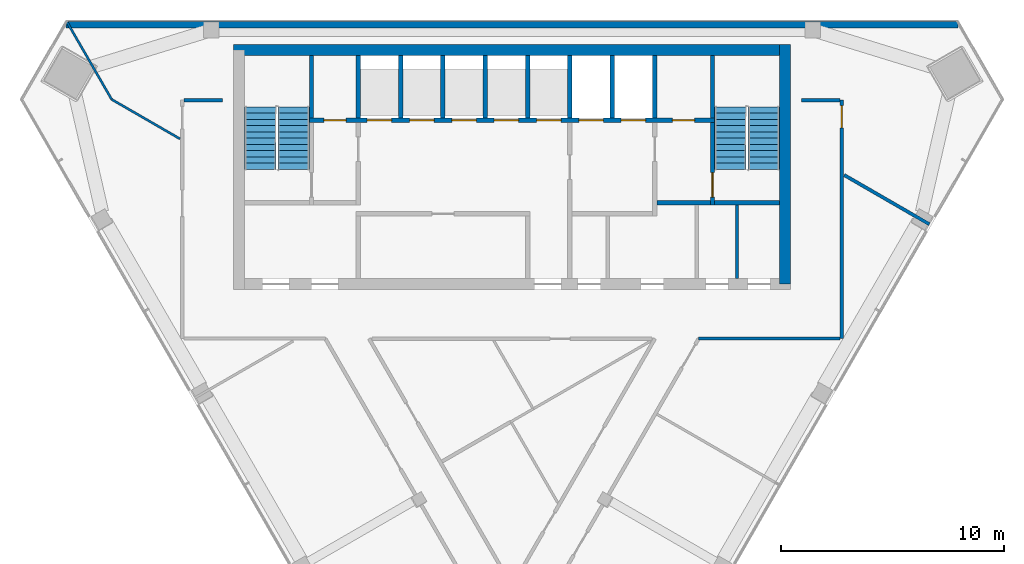
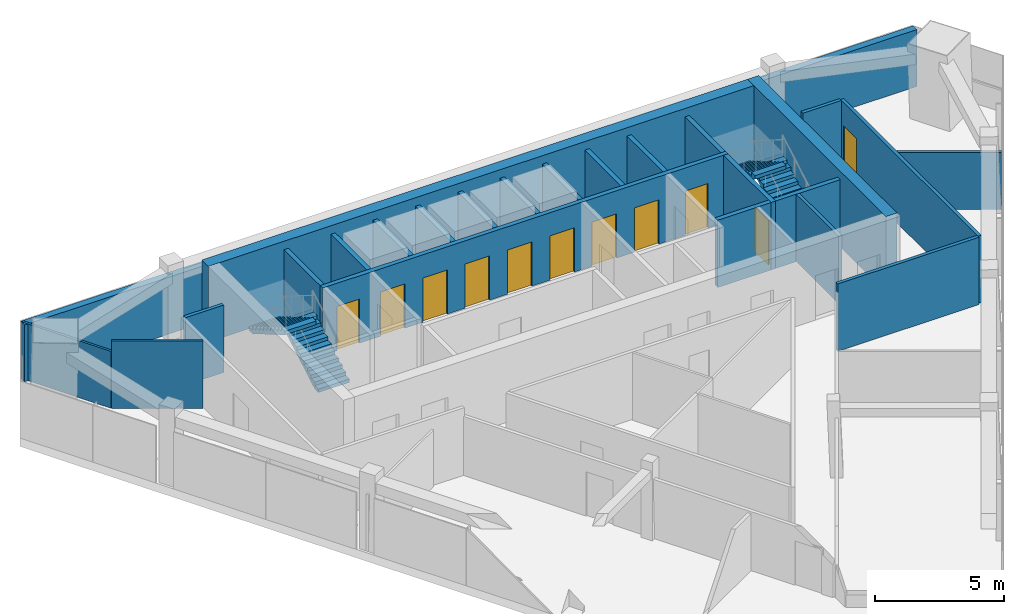
# One storey, part 7 of 9: 25 walls, 11 doors, 4 stair flights, 11 openings, 2 elements without a shape of their own.
"""IFC4 building model written with IfcOpenShell, lengths in metres."""

from ifc_helpers import new_model, si_unit, direction, frame, frame_2d, origin, place, context, subcontext, project, spatial, polyline, rectangle, outline, extrude, material, layer, layer_set, type_object, element, fill, aggregate, save


model = new_model("IFC4")

# Units and contexts
model_context = context("Model", 3, precision=1e-05, world=origin(), true_north=direction((0.0, 1.0)))
body_context = subcontext(model_context, "Body", "Model", "MODEL_VIEW")
ifc_project = project(units=[si_unit("LENGTHUNIT", "METRE"), si_unit("AREAUNIT", "SQUARE_METRE"), si_unit("VOLUMEUNIT", "CUBIC_METRE"), si_unit("PLANEANGLEUNIT", "RADIAN"), si_unit("MASSUNIT", "GRAM", prefix="KILO")], contexts=[model_context])

# Site, building, storey
site_placement = place(None, origin())
site = spatial("IfcSite", under=ifc_project, at=site_placement, CompositionType="ELEMENT")
building_placement = place(site_placement, origin())
building = spatial("IfcBuilding", under=site, at=building_placement, Name="Altiplano Prism Tower", CompositionType="ELEMENT")
storey_placement = place(building_placement, frame((0.0, 0.0, 302.199951171875)))
storey = spatial("IfcBuildingStorey", under=building, at=storey_placement, Name="L78", CompositionType="ELEMENT", Elevation=302.199951171875)

# Walls
ifc_material_1 = material(Name="Concrete C60/75", Category="concrete")
ifc_layer_1 = layer(ifc_material_1, 0.5)
ifc_layer_set_1 = layer_set([ifc_layer_1], Name="Concrete C60/75")
wall_type_1 = type_object("IfcWallType", Name="Core wall 500", PredefinedType="SHEAR", material=ifc_layer_set_1)
wall_1_placement = place(storey_placement, frame((97.25, 93.14990234375, 0.0), z_axis=(0.0, 0.0, 1.0), x_axis=(0.0, 1.0, 0.0)))
element("IfcWall", 1, at=wall_1_placement, inside=storey, type_object=wall_type_1, Name="Core wall E L78", PredefinedType="SHEAR", context=body_context, shape_type="SweptSolid", body=[
    extrude(rectangle(XDim=10.75, YDim=0.5, at=frame_2d((5.375, 0.0))), origin(), (0.0, 0.0, 1.0), 3.60009765625),
])
wall_2_placement = place(storey_placement, frame((97.25, 103.64990234375, 0.0), z_axis=(0.0, 0.0, 1.0), x_axis=(-1.0, 0.0, 0.0)))
element("IfcWall", 2, at=wall_2_placement, inside=storey, type_object=wall_type_1, Name="Core wall N L78", PredefinedType="SHEAR", context=body_context, shape_type="SweptSolid", body=[
    extrude(rectangle(XDim=24.75, YDim=0.5, at=frame_2d((12.375, 0.0))), origin(), (0.0, 0.0, 1.0), 3.60009765625),
])
ifc_material_2 = material(Name="Plasterboard on steel stud", Category="steel")
ifc_layer_2 = layer(ifc_material_2, 0.10009765625)
ifc_layer_set_2 = layer_set([ifc_layer_2], Name="Plasterboard on steel stud")
wall_type_2 = type_object("IfcWallType", Name="Partition 100 wet", PredefinedType="PARTITIONING", material=ifc_layer_set_2)
wall_3_placement = place(storey_placement, frame((70.099365234375, 99.66357421875, 0.0), z_axis=(0.0, 0.0, 1.0), x_axis=(-0.866034141321, 0.499984865837, 0.0)))
element("IfcWall", 3, at=wall_3_placement, inside=storey, type_object=wall_type_2, Name="Partition P03 L78 017", PredefinedType="PARTITIONING", context=body_context, shape_type="SweptSolid", body=[
    extrude(rectangle(XDim=3.54345703125, YDim=0.10009765625, at=frame_2d((1.771728515625, 0.0))), origin(), (0.0, 0.0, 1.0), 3.199951171875),
])
wall_4_placement = place(storey_placement, frame((67.030517578125, 101.435302734375, 0.0), z_axis=(0.0, 0.0, 1.0), x_axis=(-0.499991868013, 0.866030098739, 0.0)))
element("IfcWall", 4, at=wall_4_placement, inside=storey, type_object=wall_type_2, Name="Partition P03 L78 018", PredefinedType="PARTITIONING", context=body_context, shape_type="SweptSolid", body=[
    extrude(rectangle(XDim=4.00048828125, YDim=0.10009765625, at=frame_2d((2.000244140625, 0.0))), origin(), (0.0, 0.0, 1.0), 2.699951171875),
])
ifc_layer_3 = layer(ifc_material_2, 0.14990234375)
ifc_layer_set_3 = layer_set([ifc_layer_3], Name="Plasterboard on steel stud")
wall_type_3 = type_object("IfcWallType", Name="Partition 150 corridor", PredefinedType="PARTITIONING", material=ifc_layer_set_3)
wall_5_placement = place(storey_placement, frame((93.3818359375, 90.699951171875, 0.0), z_axis=(0.0, 0.0, 1.0), x_axis=(1.0, 0.0, 0.0)))
element("IfcWall", 5, at=wall_5_placement, inside=storey, type_object=wall_type_3, Name="Partition P06 L78 007", PredefinedType="PARTITIONING", context=body_context, shape_type="SweptSolid", body=[
    extrude(rectangle(XDim=6.34326171875, YDim=0.14990234375, at=frame_2d((3.171630859375, 0.0))), origin(), (0.0, 0.0, 1.0), 3.199951171875),
])

# Wall, opening, door
wall_6_placement = place(storey_placement, frame((99.800048828125, 90.699951171875, 0.0), z_axis=(0.0, 0.0, 1.0), x_axis=(9.1267939e-05, 0.999999995835, 0.0)))
wall_6 = element("IfcWall", 6, at=wall_6_placement, inside=storey, type_object=wall_type_3, Name="Partition P06 L78 008", PredefinedType="PARTITIONING", context=body_context, shape_type="SweptSolid", body=[
    extrude(rectangle(XDim=10.699951171875, YDim=0.14990234375, at=frame_2d((5.35009765625, 0.0))), origin(), (0.0, 0.0, 1.0), 3.199951171875),
])
opening_1_placement = place(wall_6_placement, frame((9.4599609375, 0.0, 0.0)))
opening_1 = element("IfcOpeningElement", 7, at=opening_1_placement, cuts=wall_6, Name="Opening D2366", PredefinedType="OPENING", context=body_context, shape_type="SweptSolid", body=[
    extrude(rectangle(XDim=1.0, YDim=2.10009765625, at=frame_2d((0.5, 1.050048828125))), frame((0.0, 0.08544921875, 0.0), z_axis=(0.0, -1.0, 0.0), x_axis=(1.0, 0.0, 0.0)), (0.0, 0.0, 1.0), 0.1708984375),
])
ifc_material_3 = material(Name="Timber", Category="wood")
door_type_1 = type_object("IfcDoorType", Name="Store door 1000 x 2100", OperationType="NOTDEFINED", PredefinedType="NOTDEFINED", material=ifc_material_3)
door_1_placement = place(opening_1_placement, origin())
door_1 = element("IfcDoor", 8, at=door_1_placement, inside=storey, type_object=door_type_1, Name="Door D2366", OperationType="SINGLE_SWING_LEFT", OverallHeight=2.10009765625, OverallWidth=1.0, PredefinedType="NOTDEFINED", context=body_context, shape_type="SweptSolid", body=[
    extrude(rectangle(XDim=1.0, YDim=2.10009765625, at=frame_2d((0.5, 1.050048828125))), frame((0.0, 0.02490234375, 0.0), z_axis=(0.0, -1.0, 0.0), x_axis=(1.0, 0.0, 0.0)), (0.0, 0.0, 1.0), 0.050048828125),
])
fill(opening_1, door_1)

# Walls
wall_7_placement = place(storey_placement, frame((99.72607421875, 101.400146484375, 0.0), z_axis=(0.0, 0.0, 1.0), x_axis=(-0.999999909973, 0.000424328109, 0.0)))
element("IfcWall", 9, at=wall_7_placement, inside=storey, type_object=wall_type_3, Name="Partition P06 L78 009", PredefinedType="PARTITIONING", context=body_context, shape_type="SweptSolid", body=[
    extrude(rectangle(XDim=1.72607421875, YDim=0.14990234375, at=frame_2d((0.863037109375, 0.0))), origin(), (0.0, 0.0, 1.0), 3.199951171875),
])
wall_8_placement = place(storey_placement, frame((72.0, 101.40087890625, 0.0), z_axis=(0.0, 0.0, 1.0), x_axis=(-0.999999989991, -0.000141482738, 0.0)))
element("IfcWall", 10, at=wall_8_placement, inside=storey, type_object=wall_type_3, Name="Partition P06 L78 010", PredefinedType="PARTITIONING", context=body_context, shape_type="SweptSolid", body=[
    extrude(rectangle(XDim=1.7255859375, YDim=0.14990234375, at=frame_2d((0.86279296875, 0.0))), origin(), (0.0, 0.0, 1.0), 3.199951171875),
])
ifc_layer_4 = layer(ifc_material_2, 0.14990234375)
ifc_layer_set_4 = layer_set([ifc_layer_4], Name="Plasterboard on steel stud")
wall_type_4 = type_object("IfcWallType", Name="Partition 150 party", PredefinedType="PARTITIONING", material=ifc_layer_set_4)
wall_9_placement = place(storey_placement, frame((103.735107421875, 95.83251953125, 0.0), z_axis=(0.0, 0.0, 1.0), x_axis=(-0.86603542762, 0.499982637805, 0.0)))
element("IfcWall", 11, at=wall_9_placement, inside=storey, type_object=wall_type_4, Name="Partition P01 L78 023", PredefinedType="PARTITIONING", context=body_context, shape_type="SweptSolid", body=[
    extrude(rectangle(XDim=4.413330078125, YDim=0.14990234375, at=frame_2d((2.20654296875, 0.0))), origin(), (0.0, 0.0, 1.0), 2.699951171875),
])
ifc_material_4 = material(Name="Fire-rated gypsum board partition")
ifc_layer_5 = layer(ifc_material_4, 0.14990234375)
ifc_layer_set_5 = layer_set([ifc_layer_5], Name="Fire-rated gypsum board partition")
wall_type_5 = type_object("IfcWallType", Name="Room partition 150", PredefinedType="PARTITIONING", material=ifc_layer_set_5)
wall_10_placement = place(storey_placement, frame((95.10009765625, 93.39990234375, 0.0), z_axis=(0.0, 0.0, 1.0), x_axis=(0.0, 1.0, 0.0)))
element("IfcWall", 12, at=wall_10_placement, inside=storey, type_object=wall_type_5, Name="Room partition L78", PredefinedType="PARTITIONING", context=body_context, shape_type="SweptSolid", body=[
    extrude(rectangle(XDim=3.300048828125, YDim=0.14990234375, at=frame_2d((1.64990234375, 0.0))), origin(), (0.0, 0.0, 1.0), 3.199951171875),
])
ifc_layer_6 = layer(ifc_material_1, 0.199951171875)
ifc_layer_set_6 = layer_set([ifc_layer_6], Name="Concrete C60/75")
wall_type_6 = type_object("IfcWallType", Name="Shaft wall 200", PredefinedType="SOLIDWALL", material=ifc_layer_set_6)
for number, where, z_axis, x_axis, name in (
    (13, (78.10009765625, 100.60009765625, 0.0), (0.0, 0.0, 1.0), (0.0, 1.0, 0.0), "Shaft wall L78"),
    (14, (80.0, 100.60009765625, 0.0), (0.0, 0.0, 1.0), (0.0, 1.0, 0.0), "Shaft wall L78"),
    (15, (81.89990234375, 100.60009765625, 0.0), (0.0, 0.0, 1.0), (0.0, 1.0, 0.0), "Shaft wall L78"),
    (16, (83.800048828125, 100.60009765625, 0.0), (0.0, 0.0, 1.0), (0.0, 1.0, 0.0), "Shaft wall L78"),
    (17, (85.699951171875, 100.60009765625, 0.0), (0.0, 0.0, 1.0), (0.0, 1.0, 0.0), "Shaft wall L78"),
    (18, (87.60009765625, 100.60009765625, 0.0), (0.0, 0.0, 1.0), (0.0, 1.0, 0.0), "Shaft wall L78"),
    (19, (89.5, 100.60009765625, 0.0), (0.0, 0.0, 1.0), (0.0, 1.0, 0.0), "Shaft wall L78"),
    (20, (91.39990234375, 100.60009765625, 0.0), (0.0, 0.0, 1.0), (0.0, 1.0, 0.0), "Shaft wall L78"),
):
    element("IfcWall", number, at=place(storey_placement, frame(where, z_axis=z_axis, x_axis=x_axis)), inside=storey, type_object=wall_type_6, Name=name, PredefinedType="SOLIDWALL", context=body_context, shape_type="SweptSolid", body=[
        extrude(rectangle(XDim=2.7998046875, YDim=0.199951171875, at=frame_2d((1.39990234375, 0.0))), origin(), (0.0, 0.0, 1.0), 3.199951171875),
    ])

# Wall, opening, door
ifc_layer_7 = layer(ifc_material_1, 0.199951171875)
ifc_layer_set_7 = layer_set([ifc_layer_7], Name="Concrete C60/75")
wall_type_7 = type_object("IfcWallType", Name="Stair wall 200", PredefinedType="SOLIDWALL", material=ifc_layer_set_7)
wall_11_placement = place(storey_placement, frame((94.0, 96.699951171875, 0.0), z_axis=(0.0, 0.0, 1.0), x_axis=(0.0, 1.0, 0.0)))
wall_11 = element("IfcWall", 21, at=wall_11_placement, inside=storey, type_object=wall_type_7, Name="Stair wall L78", PredefinedType="SOLIDWALL", context=body_context, shape_type="SweptSolid", body=[
    extrude(rectangle(XDim=3.699951171875, YDim=0.199951171875, at=frame_2d((1.85009765625, 0.0))), origin(), (0.0, 0.0, 1.0), 3.199951171875),
])
opening_2_placement = place(wall_11_placement, frame((0.35009765625, 0.0, 0.0)))
opening_2 = element("IfcOpeningElement", 22, at=opening_2_placement, cuts=wall_11, Name="Opening D3679", PredefinedType="OPENING", context=body_context, shape_type="SweptSolid", body=[
    extrude(rectangle(XDim=1.10009765625, YDim=2.10009765625, at=frame_2d((0.550048828125, 1.050048828125))), frame((0.0, 0.1103515625, 0.0), z_axis=(0.0, -1.0, 0.0), x_axis=(1.0, 0.0, 0.0)), (0.0, 0.0, 1.0), 0.220947265625),
])
ifc_material_5 = material(Name="Fire-rated steel door", Category="steel")
door_type_2 = type_object("IfcDoorType", Name="Stair fire door 1100 x 2100", OperationType="NOTDEFINED", PredefinedType="NOTDEFINED", material=ifc_material_5)
door_2_placement = place(opening_2_placement, origin())
door_2 = element("IfcDoor", 23, at=door_2_placement, inside=storey, type_object=door_type_2, Name="Stair fire door D3679", OperationType="SINGLE_SWING_LEFT", OverallHeight=2.10009765625, OverallWidth=1.10009765625, PredefinedType="NOTDEFINED", context=body_context, shape_type="SweptSolid", body=[
    extrude(rectangle(XDim=1.10009765625, YDim=2.10009765625, at=frame_2d((0.550048828125, 1.050048828125))), frame((0.0, 0.02490234375, 0.0), z_axis=(0.0, -1.0, 0.0), x_axis=(1.0, 0.0, 0.0)), (0.0, 0.0, 1.0), 0.050048828125),
])
fill(opening_2, door_2)

# Wall
wall_12_placement = place(storey_placement, frame((94.10009765625, 96.800048828125, 0.0), z_axis=(0.0, 0.0, 1.0), x_axis=(1.0, 0.0, 0.0)))
element("IfcWall", 24, at=wall_12_placement, inside=storey, type_object=wall_type_7, Name="Stair wall L78", PredefinedType="SOLIDWALL", context=body_context, shape_type="SweptSolid", body=[
    extrude(rectangle(XDim=2.89990234375, YDim=0.199951171875, at=frame_2d((1.449951171875, 0.0))), origin(), (0.0, 0.0, 1.0), 3.199951171875),
])

# Wall, openings, doors
wall_13_placement = place(storey_placement, frame((75.89990234375, 100.5, 0.0), z_axis=(0.0, 0.0, 1.0), x_axis=(1.0, 0.0, 0.0)))
wall_13 = element("IfcWall", 25, at=wall_13_placement, inside=storey, type_object=wall_type_7, Name="Stair wall L78", PredefinedType="SOLIDWALL", context=body_context, shape_type="SweptSolid", body=[
    extrude(rectangle(XDim=18.2001953125, YDim=0.199951171875, at=frame_2d((9.10009765625, 0.0))), origin(), (0.0, 0.0, 1.0), 3.199951171875),
])
opening_3_placement = place(wall_13_placement, frame((2.60009765625, 0.0, 0.0)))
opening_3 = element("IfcOpeningElement", 26, at=opening_3_placement, cuts=wall_13, Name="Opening LD-HL1-L78", PredefinedType="OPENING", context=body_context, shape_type="SweptSolid", body=[
    extrude(rectangle(XDim=1.10009765625, YDim=2.10009765625, at=frame_2d((0.550048828125, 1.050048828125))), frame((0.0, 0.1103515625, 0.0), z_axis=(0.0, -1.0, 0.0), x_axis=(1.0, 0.0, 0.0)), (0.0, 0.0, 1.0), 0.220947265625),
])
opening_4_placement = place(wall_13_placement, frame((4.5, 0.0, 0.0)))
opening_4 = element("IfcOpeningElement", 27, at=opening_4_placement, cuts=wall_13, Name="Opening LD-HL2-L78", PredefinedType="OPENING", context=body_context, shape_type="SweptSolid", body=[
    extrude(rectangle(XDim=1.10009765625, YDim=2.10009765625, at=frame_2d((0.550048828125, 1.050048828125))), frame((0.0, 0.1103515625, 0.0), z_axis=(0.0, -1.0, 0.0), x_axis=(1.0, 0.0, 0.0)), (0.0, 0.0, 1.0), 0.220947265625),
])
opening_5_placement = place(wall_13_placement, frame((6.39990234375, 0.0, 0.0)))
opening_5 = element("IfcOpeningElement", 28, at=opening_5_placement, cuts=wall_13, Name="Opening LD-HL3-L78", PredefinedType="OPENING", context=body_context, shape_type="SweptSolid", body=[
    extrude(rectangle(XDim=1.10009765625, YDim=2.10009765625, at=frame_2d((0.550048828125, 1.050048828125))), frame((0.0, 0.1103515625, 0.0), z_axis=(0.0, -1.0, 0.0), x_axis=(1.0, 0.0, 0.0)), (0.0, 0.0, 1.0), 0.220947265625),
])
opening_6_placement = place(wall_13_placement, frame((8.300048828125, 0.0, 0.0)))
opening_6 = element("IfcOpeningElement", 29, at=opening_6_placement, cuts=wall_13, Name="Opening LD-HL4-L78", PredefinedType="OPENING", context=body_context, shape_type="SweptSolid", body=[
    extrude(rectangle(XDim=1.10009765625, YDim=2.10009765625, at=frame_2d((0.550048828125, 1.050048828125))), frame((0.0, 0.1103515625, 0.0), z_axis=(0.0, -1.0, 0.0), x_axis=(1.0, 0.0, 0.0)), (0.0, 0.0, 1.0), 0.220947265625),
])
opening_7_placement = place(wall_13_placement, frame((10.199951171875, 0.0, 0.0)))
opening_7 = element("IfcOpeningElement", 30, at=opening_7_placement, cuts=wall_13, Name="Opening LD-HL5-L78", PredefinedType="OPENING", context=body_context, shape_type="SweptSolid", body=[
    extrude(rectangle(XDim=1.10009765625, YDim=2.10009765625, at=frame_2d((0.550048828125, 1.050048828125))), frame((0.0, 0.1103515625, 0.0), z_axis=(0.0, -1.0, 0.0), x_axis=(1.0, 0.0, 0.0)), (0.0, 0.0, 1.0), 0.220947265625),
])
opening_8_placement = place(wall_13_placement, frame((12.10009765625, 0.0, 0.0)))
opening_8 = element("IfcOpeningElement", 31, at=opening_8_placement, cuts=wall_13, Name="Opening LD-FF1-L78", PredefinedType="OPENING", context=body_context, shape_type="SweptSolid", body=[
    extrude(rectangle(XDim=1.10009765625, YDim=2.10009765625, at=frame_2d((0.550048828125, 1.050048828125))), frame((0.0, 0.1103515625, 0.0), z_axis=(0.0, -1.0, 0.0), x_axis=(1.0, 0.0, 0.0)), (0.0, 0.0, 1.0), 0.220947265625),
])
opening_9_placement = place(wall_13_placement, frame((14.0, 0.0, 0.0)))
opening_9 = element("IfcOpeningElement", 32, at=opening_9_placement, cuts=wall_13, Name="Opening LD-FF2-L78", PredefinedType="OPENING", context=body_context, shape_type="SweptSolid", body=[
    extrude(rectangle(XDim=1.10009765625, YDim=2.10009765625, at=frame_2d((0.550048828125, 1.050048828125))), frame((0.0, 0.1103515625, 0.0), z_axis=(0.0, -1.0, 0.0), x_axis=(1.0, 0.0, 0.0)), (0.0, 0.0, 1.0), 0.220947265625),
])
opening_10_placement = place(wall_13_placement, frame((0.64990234375, 0.0, 0.0)))
opening_10 = element("IfcOpeningElement", 33, at=opening_10_placement, cuts=wall_13, Name="Opening D3686", PredefinedType="OPENING", context=body_context, shape_type="SweptSolid", body=[
    extrude(rectangle(XDim=1.0, YDim=2.10009765625, at=frame_2d((0.5, 1.050048828125))), frame((0.0, 0.1103515625, 0.0), z_axis=(0.0, -1.0, 0.0), x_axis=(1.0, 0.0, 0.0)), (0.0, 0.0, 1.0), 0.220947265625),
])
opening_11_placement = place(wall_13_placement, frame((16.300048828125, 0.0, 0.0)))
opening_11 = element("IfcOpeningElement", 34, at=opening_11_placement, cuts=wall_13, Name="Opening D3687", PredefinedType="OPENING", context=body_context, shape_type="SweptSolid", body=[
    extrude(rectangle(XDim=1.0, YDim=2.10009765625, at=frame_2d((0.5, 1.050048828125))), frame((0.0, 0.1103515625, 0.0), z_axis=(0.0, -1.0, 0.0), x_axis=(1.0, 0.0, 0.0)), (0.0, 0.0, 1.0), 0.220947265625),
])
door_type_3 = type_object("IfcDoorType", Name="Core room door 1000 x 2100", OperationType="NOTDEFINED", PredefinedType="NOTDEFINED", material=ifc_material_5)
door_3_placement = place(opening_10_placement, origin())
door_3 = element("IfcDoor", 35, at=door_3_placement, inside=storey, type_object=door_type_3, Name="Core room door D3686", OperationType="SINGLE_SWING_LEFT", OverallHeight=2.10009765625, OverallWidth=1.0, PredefinedType="NOTDEFINED", context=body_context, shape_type="SweptSolid", body=[
    extrude(rectangle(XDim=1.0, YDim=2.10009765625, at=frame_2d((0.5, 1.050048828125))), frame((0.0, 0.02490234375, 0.0), z_axis=(0.0, -1.0, 0.0), x_axis=(1.0, 0.0, 0.0)), (0.0, 0.0, 1.0), 0.050048828125),
])
fill(opening_10, door_3)
door_4_placement = place(opening_11_placement, origin())
door_4 = element("IfcDoor", 36, at=door_4_placement, inside=storey, type_object=door_type_3, Name="Core room door D3687", OperationType="SINGLE_SWING_RIGHT", OverallHeight=2.10009765625, OverallWidth=1.0, PredefinedType="NOTDEFINED", context=body_context, shape_type="SweptSolid", body=[
    extrude(rectangle(XDim=1.0, YDim=2.10009765625, at=frame_2d((0.5, 1.050048828125))), frame((0.0, 0.02490234375, 0.0), z_axis=(0.0, -1.0, 0.0), x_axis=(1.0, 0.0, 0.0)), (0.0, 0.0, 1.0), 0.050048828125),
])
fill(opening_11, door_4)
ifc_material_6 = material(Name="Stainless steel landing door", Category="steel")
door_type_4 = type_object("IfcDoorType", Name="Landing door 1100 x 2100", OperationType="NOTDEFINED", PredefinedType="NOTDEFINED", material=ifc_material_6)
door_5_placement = place(opening_3_placement, origin())
door_5 = element("IfcDoor", 37, at=door_5_placement, inside=storey, type_object=door_type_4, Name="Landing doors HL1", OperationType="SLIDING_TO_RIGHT", OverallHeight=2.10009765625, OverallWidth=1.10009765625, PredefinedType="NOTDEFINED", context=body_context, shape_type="SweptSolid", body=[
    extrude(rectangle(XDim=1.10009765625, YDim=2.10009765625, at=frame_2d((0.550048828125, 1.050048828125))), frame((0.0, 0.02490234375, 0.0), z_axis=(0.0, -1.0, 0.0), x_axis=(1.0, 0.0, 0.0)), (0.0, 0.0, 1.0), 0.050048828125),
])
fill(opening_3, door_5)
door_6_placement = place(opening_4_placement, origin())
door_6 = element("IfcDoor", 38, at=door_6_placement, inside=storey, type_object=door_type_4, Name="Landing doors HL2", OperationType="SLIDING_TO_LEFT", OverallHeight=2.10009765625, OverallWidth=1.10009765625, PredefinedType="NOTDEFINED", context=body_context, shape_type="SweptSolid", body=[
    extrude(rectangle(XDim=1.10009765625, YDim=2.10009765625, at=frame_2d((0.550048828125, 1.050048828125))), frame((0.0, 0.02490234375, 0.0), z_axis=(0.0, -1.0, 0.0), x_axis=(1.0, 0.0, 0.0)), (0.0, 0.0, 1.0), 0.050048828125),
])
fill(opening_4, door_6)
door_7_placement = place(opening_5_placement, origin())
door_7 = element("IfcDoor", 39, at=door_7_placement, inside=storey, type_object=door_type_4, Name="Landing doors HL3", OperationType="SLIDING_TO_RIGHT", OverallHeight=2.10009765625, OverallWidth=1.10009765625, PredefinedType="NOTDEFINED", context=body_context, shape_type="SweptSolid", body=[
    extrude(rectangle(XDim=1.10009765625, YDim=2.10009765625, at=frame_2d((0.550048828125, 1.050048828125))), frame((0.0, 0.02490234375, 0.0), z_axis=(0.0, -1.0, 0.0), x_axis=(1.0, 0.0, 0.0)), (0.0, 0.0, 1.0), 0.050048828125),
])
fill(opening_5, door_7)
door_8_placement = place(opening_6_placement, origin())
door_8 = element("IfcDoor", 40, at=door_8_placement, inside=storey, type_object=door_type_4, Name="Landing doors HL4", OperationType="SLIDING_TO_LEFT", OverallHeight=2.10009765625, OverallWidth=1.10009765625, PredefinedType="NOTDEFINED", context=body_context, shape_type="SweptSolid", body=[
    extrude(rectangle(XDim=1.10009765625, YDim=2.10009765625, at=frame_2d((0.550048828125, 1.050048828125))), frame((0.0, 0.02490234375, 0.0), z_axis=(0.0, -1.0, 0.0), x_axis=(1.0, 0.0, 0.0)), (0.0, 0.0, 1.0), 0.050048828125),
])
fill(opening_6, door_8)
door_9_placement = place(opening_7_placement, origin())
door_9 = element("IfcDoor", 41, at=door_9_placement, inside=storey, type_object=door_type_4, Name="Landing doors HL5", OperationType="SLIDING_TO_RIGHT", OverallHeight=2.10009765625, OverallWidth=1.10009765625, PredefinedType="NOTDEFINED", context=body_context, shape_type="SweptSolid", body=[
    extrude(rectangle(XDim=1.10009765625, YDim=2.10009765625, at=frame_2d((0.550048828125, 1.050048828125))), frame((0.0, 0.02490234375, 0.0), z_axis=(0.0, -1.0, 0.0), x_axis=(1.0, 0.0, 0.0)), (0.0, 0.0, 1.0), 0.050048828125),
])
fill(opening_7, door_9)
door_10_placement = place(opening_8_placement, origin())
door_10 = element("IfcDoor", 42, at=door_10_placement, inside=storey, type_object=door_type_4, Name="Landing doors FF1", OperationType="SLIDING_TO_RIGHT", OverallHeight=2.10009765625, OverallWidth=1.10009765625, PredefinedType="NOTDEFINED", context=body_context, shape_type="SweptSolid", body=[
    extrude(rectangle(XDim=1.10009765625, YDim=2.10009765625, at=frame_2d((0.550048828125, 1.050048828125))), frame((0.0, 0.02490234375, 0.0), z_axis=(0.0, -1.0, 0.0), x_axis=(1.0, 0.0, 0.0)), (0.0, 0.0, 1.0), 0.050048828125),
])
fill(opening_8, door_10)
door_11_placement = place(opening_9_placement, origin())
door_11 = element("IfcDoor", 43, at=door_11_placement, inside=storey, type_object=door_type_4, Name="Landing doors FF2", OperationType="SLIDING_TO_LEFT", OverallHeight=2.10009765625, OverallWidth=1.10009765625, PredefinedType="NOTDEFINED", context=body_context, shape_type="SweptSolid", body=[
    extrude(rectangle(XDim=1.10009765625, YDim=2.10009765625, at=frame_2d((0.550048828125, 1.050048828125))), frame((0.0, 0.02490234375, 0.0), z_axis=(0.0, -1.0, 0.0), x_axis=(1.0, 0.0, 0.0)), (0.0, 0.0, 1.0), 0.050048828125),
])
fill(opening_9, door_11)

# Walls
for number, where, z_axis, x_axis, name in (
    (44, (76.0, 100.60009765625, 0.0), (0.0, 0.0, 1.0), (0.0, 1.0, 0.0), "Stair wall L78"),
    (45, (94.0, 100.60009765625, 0.0), (0.0, 0.0, 1.0), (0.0, 1.0, 0.0), "Stair wall L78"),
):
    element("IfcWall", number, at=place(storey_placement, frame(where, z_axis=z_axis, x_axis=x_axis)), inside=storey, type_object=wall_type_7, Name=name, PredefinedType="SOLIDWALL", context=body_context, shape_type="SweptSolid", body=[
        extrude(rectangle(XDim=2.7998046875, YDim=0.199951171875, at=frame_2d((1.39990234375, 0.0))), origin(), (0.0, 0.0, 1.0), 3.199951171875),
    ])
ifc_material_7 = material(Name="Concrete C40", Category="concrete")
ifc_layer_8 = layer(ifc_material_7, 0.300048828125)
ifc_layer_set_8 = layer_set([ifc_layer_8], Name="Concrete C40")
wall_type_8 = type_object("IfcWallType", Name="Stone-clad external wall 300", PredefinedType="SOLIDWALL", material=ifc_layer_set_8)
wall_14_placement = place(storey_placement, frame((64.972412109375, 104.7900390625, 0.0), z_axis=(0.0, 0.0, 1.0), x_axis=(1.0, 0.0, 0.0)))
element("IfcWall", 46, at=wall_14_placement, inside=storey, type_object=wall_type_8, Name="External wall north face L78", PredefinedType="SOLIDWALL", context=body_context, shape_type="SweptSolid", body=[
    extrude(rectangle(XDim=40.05517578125, YDim=0.300048828125, at=frame_2d((20.027587890625, 0.0))), origin(), (0.0, 0.0, 1.0), 2.699951171875),
])
ifc_layer_9 = layer(ifc_material_1, 0.199951171875)
ifc_layer_set_9 = layer_set([ifc_layer_9], Name="Concrete C60/75")
wall_type_9 = type_object("IfcWallType", Name="Vestibule wall 200", PredefinedType="PARTITIONING", material=ifc_layer_set_9)
wall_15_placement = place(storey_placement, frame((91.5, 96.800048828125, 0.0), z_axis=(0.0, 0.0, 1.0), x_axis=(1.0, 0.0, 0.0)))
element("IfcWall", 47, at=wall_15_placement, inside=storey, type_object=wall_type_9, Name="Vestibule wall L78", PredefinedType="PARTITIONING", context=body_context, shape_type="SweptSolid", body=[
    extrude(rectangle(XDim=2.39990234375, YDim=0.199951171875, at=frame_2d((1.199951171875, 0.0))), origin(), (0.0, 0.0, 1.0), 3.199951171875),
])

# Stair, stair flights
ifc_material_8 = material(Name="Concrete C40/50", Category="concrete")
stair_type = type_object("IfcStairType", Name="Exit stair 1400", PredefinedType="HALF_TURN_STAIR", material=ifc_material_8)
stair_1_placement = place(storey_placement, origin())
stair_1 = element("IfcStair", 48, at=stair_1_placement, inside=storey, type_object=stair_type, Name="L78 Exit Stair 1", PredefinedType="HALF_TURN_STAIR")
stair_flight_type = type_object("IfcStairFlightType", Name="Stair flight concrete 150", PredefinedType="STRAIGHT", material=ifc_material_8)
stair_flight_1_placement = place(storey_placement, frame((75.199951171875, 98.300048828125, 0.0), z_axis=(0.0, 0.0, 1.0), x_axis=(0.0, 1.0, 0.0)))
stair_flight_1 = element("IfcStairFlight", 49, at=stair_flight_1_placement, type_object=stair_flight_type, Name="ST1 flight 1", NumberOfRisers=11, NumberOfTreads=10, PredefinedType="STRAIGHT", RiserHeight=0.163636364, TreadLength=0.28, context=body_context, shape_type="SweptSolid", body=[
    extrude(outline(polyline([(0.0, 0.0), (0.0, 0.16357421875), (0.280029296875, 0.16357421875), (0.280029296875, 0.327392578125), (0.56005859375, 0.327392578125), (0.56005859375, 0.490966796875), (0.840087890625, 0.490966796875), (0.840087890625, 0.654541015625), (1.1201171875, 0.654541015625), (1.1201171875, 0.818115234375), (1.39990234375, 0.818115234375), (1.39990234375, 0.98193359375), (1.679931640625, 0.98193359375), (1.679931640625, 1.1455078125), (1.9599609375, 1.1455078125), (1.9599609375, 1.30908203125), (2.239990234375, 1.30908203125), (2.239990234375, 1.47265625), (2.52001953125, 1.47265625), (2.52001953125, 1.636474609375), (2.800048828125, 1.636474609375), (2.800048828125, 1.800048828125), (2.800048828125, 1.462646484375), (0.297119140625, 0.0), (0.0, 0.0)])), frame((0.0, 0.699951171875, 0.0), z_axis=(0.0, -1.0, 0.0), x_axis=(1.0, 0.0, 0.0)), (0.0, 0.0, 1.0), 1.39990234375),
])
stair_flight_2_placement = place(storey_placement, frame((73.699951171875, 101.10009765625, 1.800048828125), z_axis=(0.0, 0.0, 1.0), x_axis=(0.0, -1.0, 0.0)))
stair_flight_2 = element("IfcStairFlight", 50, at=stair_flight_2_placement, type_object=stair_flight_type, Name="ST1 flight 2", NumberOfRisers=11, NumberOfTreads=10, PredefinedType="STRAIGHT", RiserHeight=0.163636364, TreadLength=0.28, context=body_context, shape_type="SweptSolid", body=[
    extrude(outline(polyline([(0.0, 0.0), (0.0, 0.16357421875), (0.280029296875, 0.16357421875), (0.280029296875, 0.327392578125), (0.56005859375, 0.327392578125), (0.56005859375, 0.490966796875), (0.840087890625, 0.490966796875), (0.840087890625, 0.654541015625), (1.1201171875, 0.654541015625), (1.1201171875, 0.818115234375), (1.39990234375, 0.818115234375), (1.39990234375, 0.98193359375), (1.679931640625, 0.98193359375), (1.679931640625, 1.1455078125), (1.9599609375, 1.1455078125), (1.9599609375, 1.30908203125), (2.239990234375, 1.30908203125), (2.239990234375, 1.47265625), (2.52001953125, 1.47265625), (2.52001953125, 1.636474609375), (2.800048828125, 1.636474609375), (2.800048828125, 1.800048828125), (2.800048828125, 1.462646484375), (0.297119140625, 0.0), (0.0, 0.0)])), frame((0.0, 0.699951171875, 0.0), z_axis=(0.0, -1.0, 0.0), x_axis=(1.0, 0.0, 0.0)), (0.0, 0.0, 1.0), 1.39990234375),
])
aggregate(stair_1, [stair_flight_1, stair_flight_2])

stair_2_placement = place(storey_placement, origin())
stair_2 = element("IfcStair", 51, at=stair_2_placement, inside=storey, type_object=stair_type, Name="L78 Exit Stair 2", PredefinedType="HALF_TURN_STAIR")
stair_flight_3_placement = place(storey_placement, frame((96.300048828125, 98.300048828125, 0.0), z_axis=(0.0, 0.0, 1.0), x_axis=(0.0, 1.0, 0.0)))
stair_flight_3 = element("IfcStairFlight", 52, at=stair_flight_3_placement, type_object=stair_flight_type, Name="ST2 flight 1", NumberOfRisers=11, NumberOfTreads=10, PredefinedType="STRAIGHT", RiserHeight=0.163636364, TreadLength=0.28, context=body_context, shape_type="SweptSolid", body=[
    extrude(outline(polyline([(0.0, 0.0), (0.0, 0.16357421875), (0.280029296875, 0.16357421875), (0.280029296875, 0.327392578125), (0.56005859375, 0.327392578125), (0.56005859375, 0.490966796875), (0.840087890625, 0.490966796875), (0.840087890625, 0.654541015625), (1.1201171875, 0.654541015625), (1.1201171875, 0.818115234375), (1.39990234375, 0.818115234375), (1.39990234375, 0.98193359375), (1.679931640625, 0.98193359375), (1.679931640625, 1.1455078125), (1.9599609375, 1.1455078125), (1.9599609375, 1.30908203125), (2.239990234375, 1.30908203125), (2.239990234375, 1.47265625), (2.52001953125, 1.47265625), (2.52001953125, 1.636474609375), (2.800048828125, 1.636474609375), (2.800048828125, 1.800048828125), (2.800048828125, 1.462646484375), (0.297119140625, 0.0), (0.0, 0.0)])), frame((0.0, 0.699951171875, 0.0), z_axis=(0.0, -1.0, 0.0), x_axis=(1.0, 0.0, 0.0)), (0.0, 0.0, 1.0), 1.39990234375),
])
stair_flight_4_placement = place(storey_placement, frame((94.800048828125, 101.10009765625, 1.800048828125), z_axis=(0.0, 0.0, 1.0), x_axis=(0.0, -1.0, 0.0)))
stair_flight_4 = element("IfcStairFlight", 53, at=stair_flight_4_placement, type_object=stair_flight_type, Name="ST2 flight 2", NumberOfRisers=11, NumberOfTreads=10, PredefinedType="STRAIGHT", RiserHeight=0.163636364, TreadLength=0.28, context=body_context, shape_type="SweptSolid", body=[
    extrude(outline(polyline([(0.0, 0.0), (0.0, 0.16357421875), (0.280029296875, 0.16357421875), (0.280029296875, 0.327392578125), (0.56005859375, 0.327392578125), (0.56005859375, 0.490966796875), (0.840087890625, 0.490966796875), (0.840087890625, 0.654541015625), (1.1201171875, 0.654541015625), (1.1201171875, 0.818115234375), (1.39990234375, 0.818115234375), (1.39990234375, 0.98193359375), (1.679931640625, 0.98193359375), (1.679931640625, 1.1455078125), (1.9599609375, 1.1455078125), (1.9599609375, 1.30908203125), (2.239990234375, 1.30908203125), (2.239990234375, 1.47265625), (2.52001953125, 1.47265625), (2.52001953125, 1.636474609375), (2.800048828125, 1.636474609375), (2.800048828125, 1.800048828125), (2.800048828125, 1.462646484375), (0.297119140625, 0.0), (0.0, 0.0)])), frame((0.0, 0.699951171875, 0.0), z_axis=(0.0, -1.0, 0.0), x_axis=(1.0, 0.0, 0.0)), (0.0, 0.0, 1.0), 1.39990234375),
])
aggregate(stair_2, [stair_flight_3, stair_flight_4])

save(model, "model.ifc")
